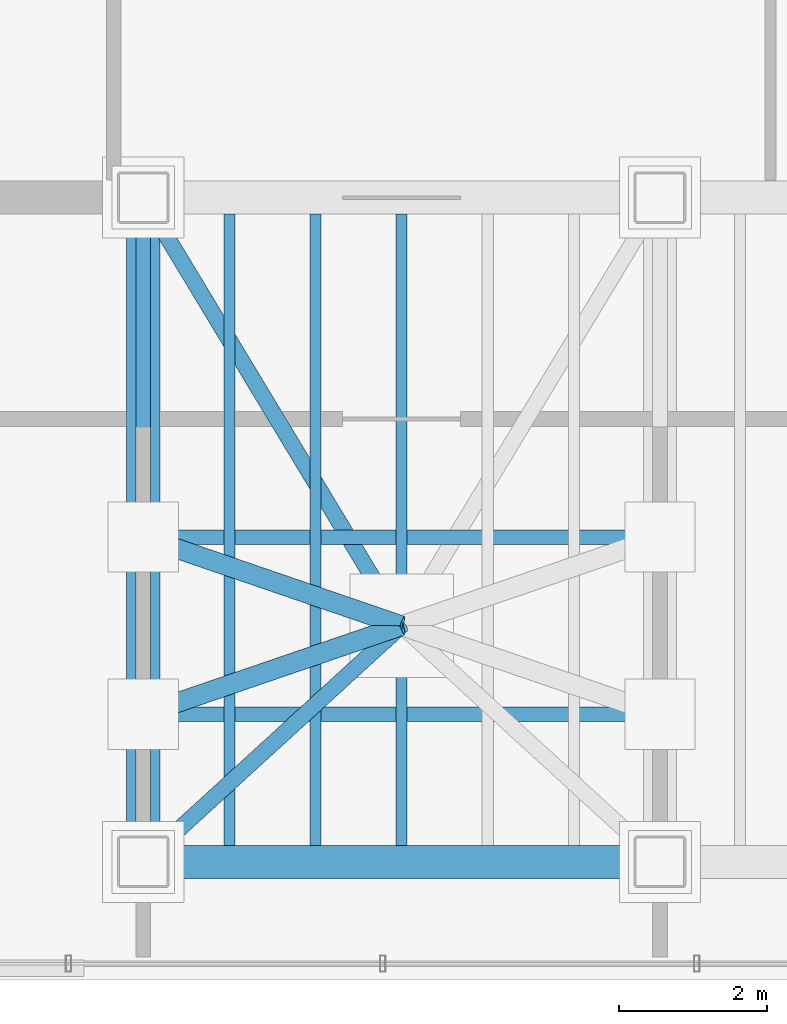
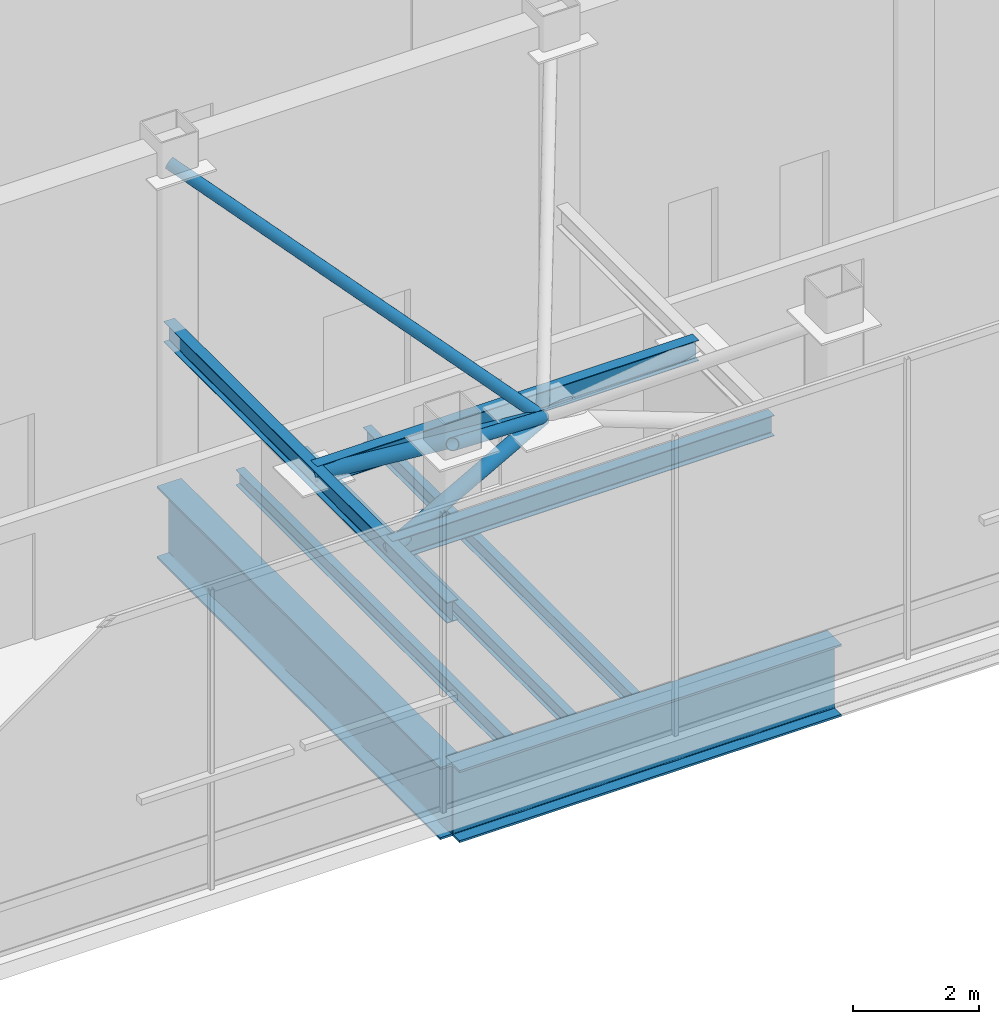
# One storey, part 3 of 19: 8 beams, 4 members.
"""IFC4 building model written with IfcOpenShell, lengths in metres."""

from ifc_helpers import new_model, si_unit, direction, frame, origin, origin_2d, place, context, subcontext, project, spatial, hollow_circle, i_section, extrude, material, material_profile, profile_set, type_object, element, save


model = new_model("IFC4")

# Units and contexts
model_context = context("Model", 3, precision=1e-05, world=origin(), true_north=direction((0.0, 1.0)))
body_context = subcontext(model_context, "Body", "Model", "MODEL_VIEW")
ifc_project = project(units=[si_unit("LENGTHUNIT", "METRE"), si_unit("AREAUNIT", "SQUARE_METRE"), si_unit("VOLUMEUNIT", "CUBIC_METRE"), si_unit("PLANEANGLEUNIT", "RADIAN"), si_unit("MASSUNIT", "GRAM", prefix="KILO")], contexts=[model_context])

# Site, building, storey
site_placement = place(None, origin())
site = spatial("IfcSite", under=ifc_project, at=site_placement, CompositionType="ELEMENT")
building_placement = place(site_placement, origin())
building = spatial("IfcBuilding", under=site, at=building_placement, Name="Noeulbin Bourse Tower", CompositionType="ELEMENT")
storey_placement = place(building_placement, frame((0.0, 0.0, 306.0)))
storey = spatial("IfcBuildingStorey", under=building, at=storey_placement, Name="L76", CompositionType="ELEMENT", Elevation=306.0)

# Beams
ifc_material_1 = material(Name="Steel S355", Category="steel")
ifc_material_profile_1 = material_profile(ifc_material_1, i_section(OverallWidth=0.14990234375, OverallDepth=0.300048828125, WebThickness=0.006591796875, FlangeThickness=0.009033203125, FilletRadius=0.012939453125, at=origin_2d()), Name="H-300x150x6.5x9", Category="LoadBearing")
ifc_profile_set_1 = profile_set([ifc_material_profile_1], Name="Steel S355")
beam_type_1 = type_object("IfcBeamType", Name="BM-JST-300", PredefinedType="JOIST", material=ifc_profile_set_1)
for number, where, z_axis, x_axis, name in (
    (1, (25.166748046875, 20.22509765625, -0.449951171875), (0.0, 1.0, 0.0), (-1.0, 0.0, 0.0), "Tower Composite Joist L76-01"),
    (2, (26.333251953125, 20.22509765625, -0.449951171875), (0.0, 1.0, 0.0), (-1.0, 0.0, 0.0), "Tower Composite Joist L76-03"),
    (3, (27.5, 20.22509765625, -0.449951171875), (0.0, 1.0, 0.0), (-1.0, 0.0, 0.0), "Tower Composite Joist L76-05"),
):
    element("IfcBeam", number, at=place(storey_placement, frame(where, z_axis=z_axis, x_axis=x_axis)), inside=storey, type_object=beam_type_1, Name=name, PredefinedType="JOIST", context=body_context, shape_type="SweptSolid", body=[
        extrude(i_section(OverallWidth=0.14990234375, OverallDepth=0.300048828125, WebThickness=0.006591796875, FlangeThickness=0.009033203125, FilletRadius=0.012939453125, at=origin_2d()), origin(), (0.0, 0.0, 1.0), 8.5498046875),
    ])
ifc_material_profile_2 = material_profile(ifc_material_1, i_section(OverallWidth=0.199951171875, OverallDepth=0.39990234375, WebThickness=0.008056640625, FlangeThickness=0.012939453125, FilletRadius=0.01611328125, at=origin_2d()), Name="H-400x200x8x13", Category="LoadBearing")
ifc_profile_set_2 = profile_set([ifc_material_profile_2], Name="Steel S355")
beam_type_2 = type_object("IfcBeamType", Name="BM-SEC-400", PredefinedType="BEAM", material=ifc_profile_set_2)
beam_1_placement = place(storey_placement, frame((24.0, 20.0, 2.64990234375), z_axis=(0.0, 1.0, 0.0), x_axis=(-1.0, 0.0, 0.0)))
element("IfcBeam", 4, at=beam_1_placement, inside=storey, type_object=beam_type_2, Name="TMD Overhead Ring Beam West", PredefinedType="BEAM", context=body_context, shape_type="SweptSolid", body=[
    extrude(i_section(OverallWidth=0.199951171875, OverallDepth=0.39990234375, WebThickness=0.008056640625, FlangeThickness=0.012939453125, FilletRadius=0.01611328125, at=origin_2d()), origin(), (0.0, 0.0, 1.0), 9.0),
])
for number, where, z_axis, x_axis, name in (
    (5, (24.0, 22.0, 2.64990234375), (1.0, 0.0, 0.0), (0.0, 1.0, 0.0), "TMD Overhead Snubber Beam South"),
    (6, (24.0, 24.39990234375, 2.64990234375), (1.0, 0.0, 0.0), (0.0, 1.0, 0.0), "TMD Overhead Snubber Beam North"),
):
    element("IfcBeam", number, at=place(storey_placement, frame(where, z_axis=z_axis, x_axis=x_axis)), inside=storey, type_object=beam_type_2, Name=name, PredefinedType="BEAM", context=body_context, shape_type="SweptSolid", body=[
        extrude(i_section(OverallWidth=0.199951171875, OverallDepth=0.39990234375, WebThickness=0.008056640625, FlangeThickness=0.012939453125, FilletRadius=0.01611328125, at=origin_2d()), origin(), (0.0, 0.0, 1.0), 7.0),
    ])
ifc_material_2 = material(Name="Steel S460", Category="steel")
ifc_material_profile_3 = material_profile(ifc_material_2, i_section(OverallWidth=0.449951171875, OverallDepth=1.39990234375, WebThickness=0.02392578125, FlangeThickness=0.0400390625, FilletRadius=0.02392578125, at=origin_2d()), Name="PG-1400x450x24x40", Category="LoadBearing")
ifc_profile_set_3 = profile_set([ifc_material_profile_3], Name="Steel S460")
beam_type_3 = type_object("IfcBeamType", Name="BM-TRF-1400", PredefinedType="USERDEFINED", material=ifc_profile_set_3)
beam_2_placement = place(storey_placement, frame((24.0, 20.0, -1.0), z_axis=(1.0, 0.0, 0.0), x_axis=(0.0, 1.0, 0.0)))
element("IfcBeam", 7, at=beam_2_placement, inside=storey, type_object=beam_type_3, Name="Tower Primary Girder EW L76-1.1", ObjectType="GIRDER", PredefinedType="USERDEFINED", context=body_context, shape_type="SweptSolid", body=[
    extrude(i_section(OverallWidth=0.449951171875, OverallDepth=1.39990234375, WebThickness=0.02392578125, FlangeThickness=0.0400390625, FilletRadius=0.02392578125, at=origin_2d()), origin(), (0.0, 0.0, 1.0), 7.0),
])
beam_3_placement = place(storey_placement, frame((24.0, 20.0, -1.0), z_axis=(0.0, 1.0, 0.0), x_axis=(-1.0, 0.0, 0.0)))
element("IfcBeam", 8, at=beam_3_placement, inside=storey, type_object=beam_type_3, Name="Tower Primary Girder NS L76-2.1", ObjectType="GIRDER", PredefinedType="USERDEFINED", context=body_context, shape_type="SweptSolid", body=[
    extrude(i_section(OverallWidth=0.449951171875, OverallDepth=1.39990234375, WebThickness=0.02392578125, FlangeThickness=0.0400390625, FilletRadius=0.02392578125, at=origin_2d()), origin(), (0.0, 0.0, 1.0), 9.0),
])

# Members
ifc_material_profile_4 = material_profile(ifc_material_1, hollow_circle(Radius=0.1337890625, WallThickness=0.00927734375, at=origin_2d()), Name="CHS-267.4x9.3", Category="LoadBearing")
ifc_profile_set_4 = profile_set([ifc_material_profile_4], Name="Steel S355")
member_type_1 = type_object("IfcMemberType", Name="MEM-CRN-267", PredefinedType="STRUT", material=ifc_profile_set_4)
for number, where, z_axis, x_axis, name in (
    (9, (24.0, 22.0, 2.64990234375), (0.9337484245, 0.320129290347, 0.160097211734), (-0.324312515579, 0.945949994576, 0.0), "Tuned Mass Damper Snubber Strut CT-1"),
    (10, (24.0, 24.39990234375, 2.64990234375), (0.9337484245, -0.320129290347, 0.160097211734), (0.324312515579, 0.945949994576, 0.0), "Tuned Mass Damper Snubber Strut CT-3"),
):
    element("IfcMember", number, at=place(storey_placement, frame(where, z_axis=z_axis, x_axis=x_axis)), inside=storey, type_object=member_type_1, Name=name, PredefinedType="STRUT", context=body_context, shape_type="SweptSolid", body=[
        extrude(hollow_circle(Radius=0.1337890625, WallThickness=0.00927734375, at=origin_2d()), origin(), (0.0, 0.0, 1.0), 3.748291015625),
    ])
ifc_material_profile_5 = material_profile(ifc_material_1, hollow_circle(Radius=0.108154296875, WallThickness=0.00830078125, at=origin_2d()), Name="CHS-216.3x8.2", Category="LoadBearing")
ifc_profile_set_5 = profile_set([ifc_material_profile_5], Name="Steel S355")
member_type_2 = type_object("IfcMemberType", Name="MEM-TMD-216", PredefinedType="STRUT", material=ifc_profile_set_5)
member_1_placement = place(storey_placement, frame((24.0, 20.0, 5.889892578125), z_axis=(0.644853565807, 0.58957140674, -0.486384040672), x_axis=(-0.674763591306, 0.738033939496, 0.0)))
element("IfcMember", 11, at=member_1_placement, inside=storey, type_object=member_type_2, Name="Tuned Mass Damper Pendulum Tie Strut TM-1", PredefinedType="STRUT", context=body_context, shape_type="SweptSolid", body=[
    extrude(hollow_circle(Radius=0.108154296875, WallThickness=0.00830078125, at=origin_2d()), origin(), (0.0, 0.0, 1.0), 5.427490234375),
])
member_2_placement = place(storey_placement, frame((24.0, 29.0, 5.889892578125), z_axis=(0.48140002811, -0.797755333971, -0.363098388948), x_axis=(0.856189585154, 0.516661779382, 0.0)))
element("IfcMember", 12, at=member_2_placement, inside=storey, type_object=member_type_2, Name="Tuned Mass Damper Pendulum Tie Strut TM-3", PredefinedType="STRUT", context=body_context, shape_type="SweptSolid", body=[
    extrude(hollow_circle(Radius=0.108154296875, WallThickness=0.00830078125, at=origin_2d()), origin(), (0.0, 0.0, 1.0), 7.2705078125),
])

save(model, "model.ifc")
